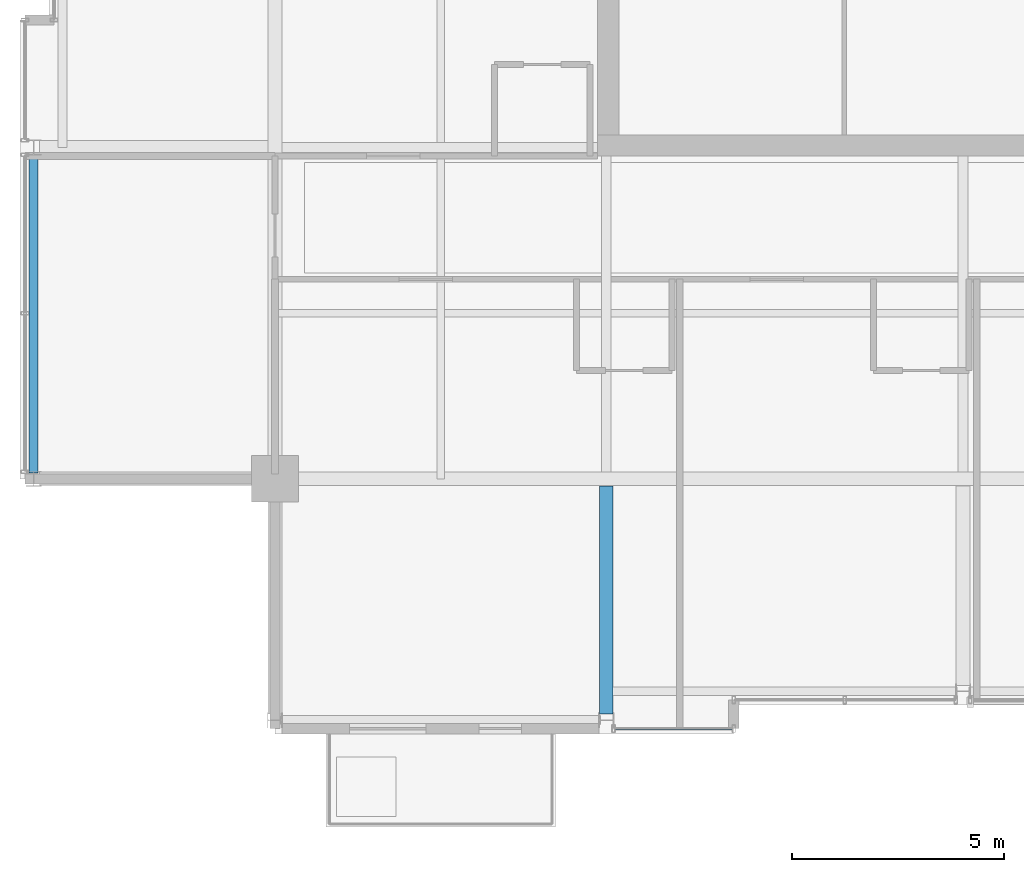
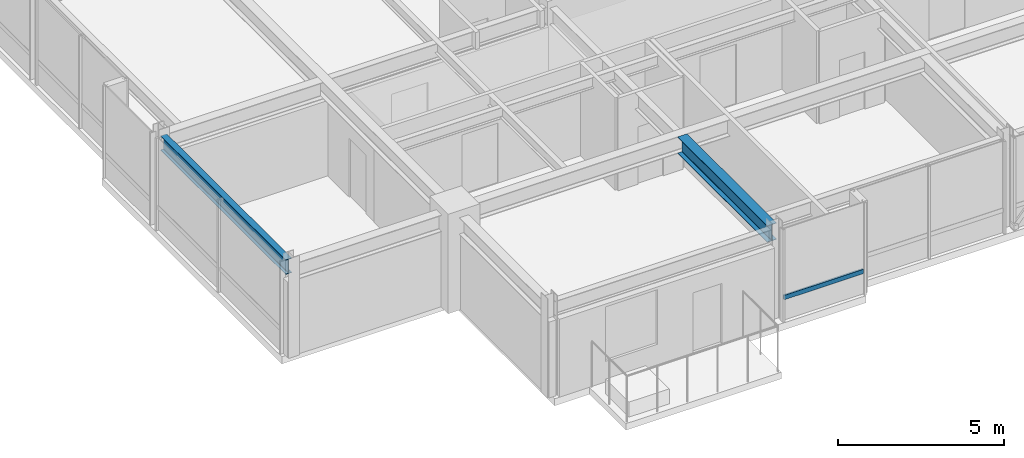
# One storey, part 5 of 34: 2 beams, 1 member, 1 element without a shape of its own.
"""IFC4 building model written with IfcOpenShell, lengths in metres."""

from ifc_helpers import new_model, si_unit, direction, frame, origin, origin_2d, place, context, subcontext, project, spatial, hollow_rectangle, i_section, extrude, material, layer, layer_set, material_profile, profile_set, type_object, element, aggregate, save


model = new_model("IFC4")

# Units and contexts
model_context = context("Model", 3, precision=1e-05, world=origin(), true_north=direction((0.0, 1.0)))
body_context = subcontext(model_context, "Body", "Model", "MODEL_VIEW")
ifc_project = project(units=[si_unit("LENGTHUNIT", "METRE"), si_unit("AREAUNIT", "SQUARE_METRE"), si_unit("VOLUMEUNIT", "CUBIC_METRE"), si_unit("PLANEANGLEUNIT", "RADIAN"), si_unit("MASSUNIT", "GRAM", prefix="KILO")], contexts=[model_context])

# Site, building, storey
site_placement = place(None, origin())
site = spatial("IfcSite", under=ifc_project, at=site_placement, CompositionType="ELEMENT")
building_placement = place(site_placement, origin())
building = spatial("IfcBuilding", under=site, at=building_placement, Name="Drelvath Grand Hotel", CompositionType="ELEMENT")
storey_placement = place(building_placement, frame((0.0, 0.0, 286.89990234375)))
storey = spatial("IfcBuildingStorey", under=building, at=storey_placement, Name="L75", CompositionType="ELEMENT", Elevation=286.89990234375)

# Curtain wall, member
ifc_material_1 = material(Name="Platinum-Mist Anodised Aluminium Frame", Category="aluminium")
ifc_layer = layer(ifc_material_1, 0.199951171875)
ifc_layer_set = layer_set([ifc_layer], Name="Platinum-Mist Anodised Aluminium Frame")
curtain_wall_type = type_object("IfcCurtainWallType", Name="Stick Curtain Wall CW-05 Platinum Mist High-Rise", PredefinedType="NOTDEFINED", material=ifc_layer_set)
curtain_wall_placement = place(storey_placement, origin())
curtain_wall = element("IfcCurtainWall", 1, at=curtain_wall_placement, inside=storey, type_object=curtain_wall_type, Name="L75 CW-05 Curtain Wall CW05-L75-SW2", PredefinedType="NOTDEFINED")
ifc_material_profile_1 = material_profile(ifc_material_1, hollow_rectangle(XDim=0.06494140625, YDim=0.159912109375, WallThickness=0.00390625, at=origin_2d()), Name="HSS160X65X4")
ifc_profile_set_1 = profile_set([ifc_material_profile_1], Name="Platinum-Mist Anodised Aluminium Frame")
member_type = type_object("IfcMemberType", Name="Curtain Wall Horizontal Transom CW-05 HSS160X65X4", PredefinedType="USERDEFINED", material=ifc_profile_set_1)
member_placement = place(storey_placement, frame((-5.43994140625, 4.919921875, 0.84765625), z_axis=(-1.0, 0.0, 0.0), x_axis=(0.0, -1.0, 0.0)))
member = element("IfcMember", 2, at=member_placement, type_object=member_type, Name="CW05-L75-SW2 Sill Transom", ObjectType="TRANSOM", PredefinedType="USERDEFINED", context=body_context, shape_type="SweptSolid", body=[
    extrude(hollow_rectangle(XDim=0.06494140625, YDim=0.159912109375, WallThickness=0.00390625, at=origin_2d()), origin(), (0.0, 0.0, 1.0), 2.75),
])
aggregate(curtain_wall, [member])

# Beams
ifc_material_2 = material(Name="Steel ASTM A992 Gr 50", Category="steel")
ifc_material_profile_2 = material_profile(ifc_material_2, i_section(OverallWidth=0.210205078125, OverallDepth=0.53662109375, WebThickness=0.010986328125, FlangeThickness=0.017333984375, FilletRadius=0.01806640625, at=origin_2d()), Name="W21X68")
ifc_profile_set_2 = profile_set([ifc_material_profile_2], Name="Steel ASTM A992 Gr 50")
beam_type_1 = type_object("IfcBeamType", Name="Perimeter Spandrel Beam W21X68", PredefinedType="SPANDREL", material=ifc_profile_set_2)
beam_1_placement = place(storey_placement, frame((-21.8798828125, 10.93994140625, 3.121826171875), z_axis=(0.0, 1.0, 0.0), x_axis=(-1.0, 0.0, 0.0)))
element("IfcBeam", 3, at=beam_1_placement, inside=storey, type_object=beam_type_1, Name="L75 Spandrel West S", PredefinedType="SPANDREL", context=body_context, shape_type="SweptSolid", body=[
    extrude(i_section(OverallWidth=0.210205078125, OverallDepth=0.53662109375, WebThickness=0.010986328125, FlangeThickness=0.017333984375, FilletRadius=0.01806640625, at=origin_2d()), origin(), (0.0, 0.0, 1.0), 7.52001953125),
])
ifc_material_profile_3 = material_profile(ifc_material_2, i_section(OverallWidth=0.323974609375, OverallDepth=0.611083984375, WebThickness=0.0126953125, FlangeThickness=0.01904296875, FilletRadius=0.02197265625, at=origin_2d()), Name="W24X104")
ifc_profile_set_3 = profile_set([ifc_material_profile_3], Name="Steel ASTM A992 Gr 50")
beam_type_2 = type_object("IfcBeamType", Name="Primary Floor Girder W24X104", PredefinedType="BEAM", material=ifc_profile_set_3)
beam_2_placement = place(storey_placement, frame((-8.39990234375, 5.260009765625, 3.084716796875), z_axis=(0.0, 1.0, 0.0), x_axis=(-1.0, 0.0, 0.0)))
element("IfcBeam", 4, at=beam_2_placement, inside=storey, type_object=beam_type_2, Name="L75 South Wing Girder 4", PredefinedType="BEAM", context=body_context, shape_type="SweptSolid", body=[
    extrude(i_section(OverallWidth=0.323974609375, OverallDepth=0.611083984375, WebThickness=0.0126953125, FlangeThickness=0.01904296875, FilletRadius=0.02197265625, at=origin_2d()), origin(), (0.0, 0.0, 1.0), 5.3779296875),
])

save(model, "model.ifc")
